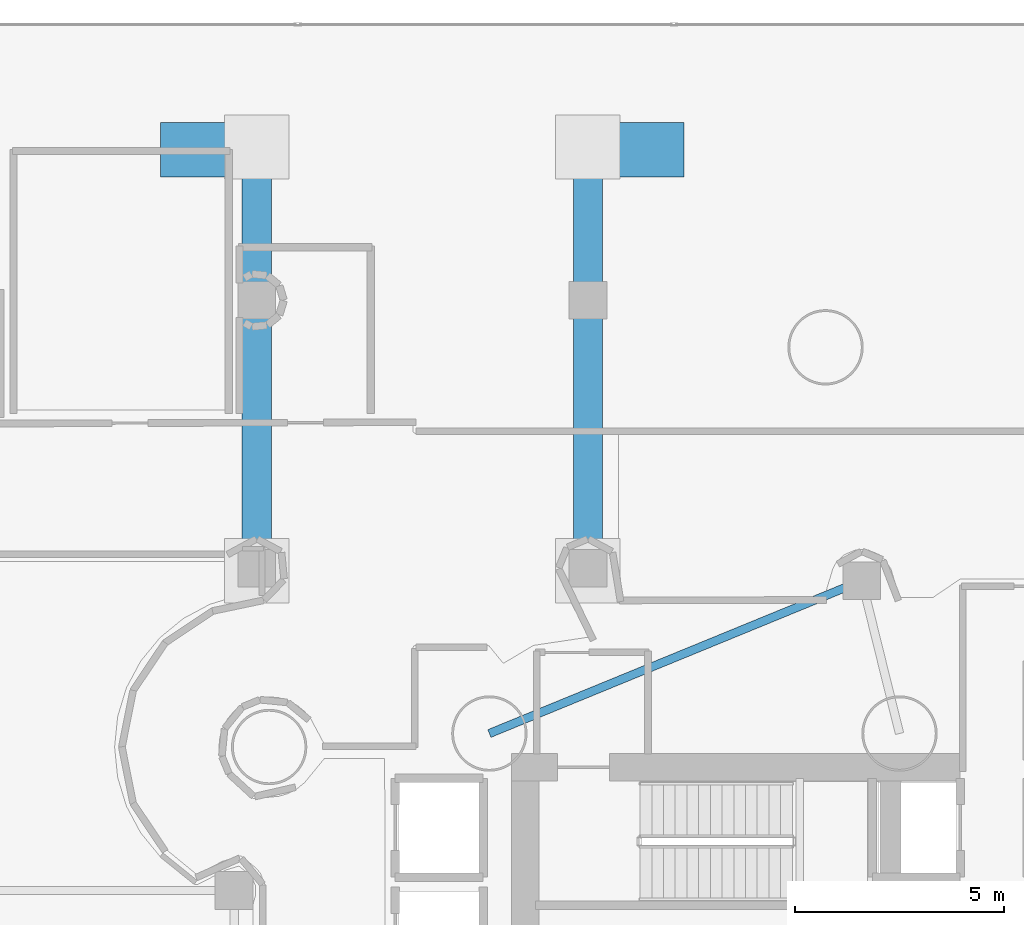
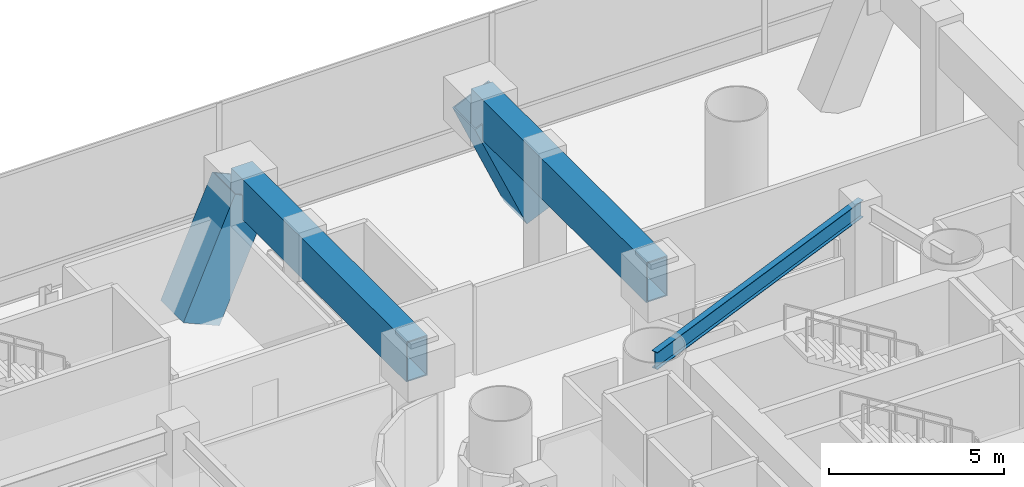
# One storey, part 18 of 45: 3 beams, 2 members.
"""IFC4 building model written with IfcOpenShell, lengths in metres."""

from ifc_helpers import new_model, si_unit, direction, frame, origin, origin_2d, place, context, subcontext, project, spatial, hollow_rectangle, i_section, extrude, material, material_profile, profile_set, type_object, element, save


model = new_model("IFC4")

# Units and contexts
model_context = context("Model", 3, precision=1e-05, world=origin(), true_north=direction((0.0, 1.0)))
body_context = subcontext(model_context, "Body", "Model", "MODEL_VIEW")
ifc_project = project(units=[si_unit("LENGTHUNIT", "METRE"), si_unit("AREAUNIT", "SQUARE_METRE"), si_unit("VOLUMEUNIT", "CUBIC_METRE"), si_unit("PLANEANGLEUNIT", "RADIAN"), si_unit("MASSUNIT", "GRAM", prefix="KILO")], contexts=[model_context])

# Site, building, storey
site_placement = place(None, origin())
site = spatial("IfcSite", under=ifc_project, at=site_placement, CompositionType="ELEMENT")
building_placement = place(site_placement, origin())
building = spatial("IfcBuilding", under=site, at=building_placement, Name="Qianvela Tower", CompositionType="ELEMENT")
storey_placement = place(building_placement, frame((0.0, 0.0, 11.0)))
storey = spatial("IfcBuildingStorey", under=building, at=storey_placement, Name="L02", CompositionType="ELEMENT", Elevation=11.0)

# Beams
ifc_material_1 = material(Name="Steel Q355B", Category="steel")
ifc_material_profile_1 = material_profile(ifc_material_1, i_section(OverallWidth=0.199951171875, OverallDepth=0.60009765625, WebThickness=0.010986328125, FlangeThickness=0.01708984375, at=origin_2d()), Name="HN600x200x11x17")
ifc_profile_set_1 = profile_set([ifc_material_profile_1], Name="Steel Q355B")
beam_type_1 = type_object("IfcBeamType", Name="BM-HN600-GIRD", PredefinedType="BEAM", material=ifc_profile_set_1)
beam_placement = place(storey_placement, frame((28.60009765625, 33.550048828125, 4.278076171875), z_axis=(0.925217514763, 0.379437149441, 0.0), x_axis=(-0.379437149441, 0.925217514763, 0.0)))
element("IfcBeam", 1, at=beam_placement, inside=storey, type_object=beam_type_1, Name="L02 Core Tie Girder 36", PredefinedType="BEAM", context=body_context, shape_type="SweptSolid", body=[
    extrude(i_section(OverallWidth=0.199951171875, OverallDepth=0.60009765625, WebThickness=0.010986328125, FlangeThickness=0.01708984375, at=origin_2d()), origin(), (0.0, 0.0, 1.0), 9.619140625),
])
ifc_material_2 = material(Name="Steel Q420GJC", Category="steel")
ifc_material_profile_2 = material_profile(ifc_material_2, hollow_rectangle(XDim=0.699951171875, YDim=1.39990234375, WallThickness=0.0400390625, at=origin_2d()), Name="TG-BOX-1400x700x40")
ifc_profile_set_2 = profile_set([ifc_material_profile_2], Name="Steel Q420GJC")
beam_type_2 = type_object("IfcBeamType", Name="BM-TG-STEP-1400", PredefinedType="BEAM", material=ifc_profile_set_2)
for number, where, z_axis, x_axis, name in (
    (2, (23.044677734375, 37.5, 3.8779296875), (0.0, 1.0, 0.0), (-1.0, 0.0, 0.0), "L02 Concourse V-Cap Transfer Girder VC-N1-R"),
    (3, (30.955322265625, 37.5, 3.8779296875), (0.0, 1.0, 0.0), (-1.0, 0.0, 0.0), "L02 Concourse V-Cap Transfer Girder VC-N2-L"),
):
    element("IfcBeam", number, at=place(storey_placement, frame(where, z_axis=z_axis, x_axis=x_axis)), inside=storey, type_object=beam_type_2, Name=name, PredefinedType="BEAM", context=body_context, shape_type="SweptSolid", body=[
        extrude(hollow_rectangle(XDim=0.699951171875, YDim=1.39990234375, WallThickness=0.0400390625, at=origin_2d()), origin(), (0.0, 0.0, 1.0), 10.0),
    ])

# Members
ifc_material_3 = material(Name="Steel Q420GJC", Category="steel")
ifc_material_profile_3 = material_profile(ifc_material_3, hollow_rectangle(XDim=1.300048828125, YDim=1.300048828125, WallThickness=0.044921875, at=origin_2d()), Name="VBOX-1300x1300x45")
ifc_profile_set_3 = profile_set([ifc_material_profile_3], Name="Steel Q420GJC")
member_type = type_object("IfcMemberType", Name="MBR-VCOL-1300", PredefinedType="POST", material=ifc_profile_set_3)
for number, where, z_axis, x_axis, name in (
    (4, (21.338623046875, 47.5, 0.0), (0.402692265556, 0.0, 0.915335424455), (0.0, 1.0, 0.0), "L02 Concourse Inclined V-Column VC-N1 Leg R"),
    (5, (32.661376953125, 47.5, 0.0), (-0.402692265556, 0.0, 0.915335424455), (0.0, -1.0, 0.0), "L02 Concourse Inclined V-Column VC-N2 Leg L"),
):
    element("IfcMember", number, at=place(storey_placement, frame(where, z_axis=z_axis, x_axis=x_axis)), inside=storey, type_object=member_type, Name=name, PredefinedType="POST", context=body_context, shape_type="SweptSolid", body=[
        extrude(hollow_rectangle(XDim=1.300048828125, YDim=1.300048828125, WallThickness=0.044921875, at=origin_2d()), origin(), (0.0, 0.0, 1.0), 4.236572265625),
    ])

save(model, "model.ifc")
